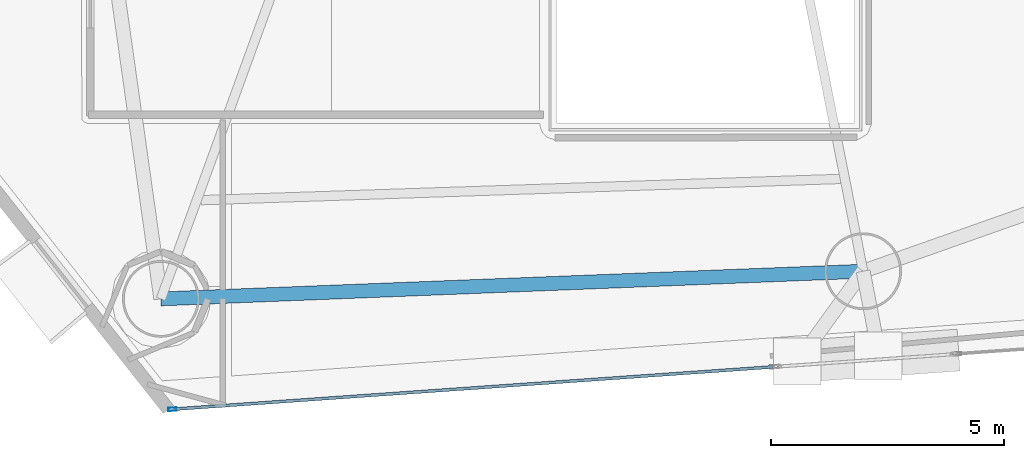
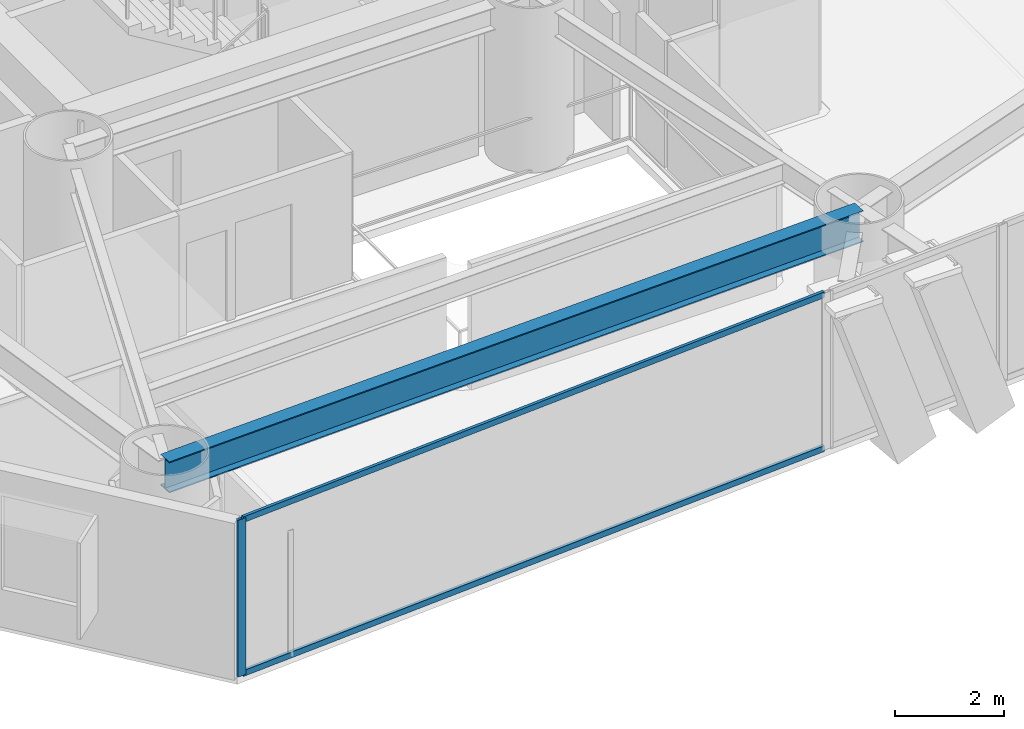
# One storey, part 2 of 24: 3 members, 1 beam, 1 element without a shape of its own.
"""IFC4 building model written with IfcOpenShell, lengths in metres."""

import ifcopenshell
import ifcopenshell.guid

model = None  # the IFC model being written
_history = None  # IfcOwnerHistory: only IFC2X3 demands one
_inside = {}  # id of a spatial element -> (the spatial element, [elements in it])
_under = {}  # id of a project, library or spatial element -> (it, [spatial elements below it])
_declared = {}  # id of a project -> (the project, [libraries it declares])
_typed = {}  # id of a type object -> (the type object, [elements of that type])
_made_of = {}  # id of a material, layer set ... -> (it, [elements and type objects made of it])


def new_model(schema):
    """Start an empty IFC model of exactly this schema.

    Asked for "IFC4X3", IfcOpenShell would pick the latest addendum, in which some entities
    have other attributes; the version numbers below select the first issue.
    IFC2X3 requires an IfcOwnerHistory on every rooted entity: one is made here for all.
    """
    global model, _history
    if schema == "IFC4X3":
        model = ifcopenshell.file(schema_version=(4, 3, 0, 0))
    else:
        model = ifcopenshell.file(schema=schema)
    _inside.clear()
    _under.clear()
    _declared.clear()
    _typed.clear()
    _made_of.clear()
    _history = None
    if model.schema == "IFC2X3":
        org = make("IfcOrganization", Name="unknown")
        user = make(
            "IfcPersonAndOrganization",
            ThePerson=make("IfcPerson", FamilyName="unknown"),
            TheOrganization=org,
        )
        app = make(
            "IfcApplication",
            ApplicationDeveloper=org,
            Version="unknown",
            ApplicationFullName="unknown",
            ApplicationIdentifier="unknown",
        )
        _history = make(
            "IfcOwnerHistory",
            OwningUser=user,
            OwningApplication=app,
            ChangeAction="ADDED",
            CreationDate=0,
        )
    return model


def make(cls, **values):
    """One entity of the class cls with the attributes given. An attribute that is None is left unset."""
    return model.create_entity(
        cls, **{name: value for name, value in values.items() if value is not None}
    )


def rooted(cls, **values):
    """An entity with a GlobalId (a new one), such as an element, a storey or a relation."""
    return make(cls, GlobalId=ifcopenshell.guid.new(), OwnerHistory=_history, **values)


def si_unit(unit_type, name, prefix=None):
    """IfcSIUnit, for example si_unit("LENGTHUNIT", "METRE", prefix="MILLI")."""
    return make("IfcSIUnit", UnitType=unit_type, Prefix=prefix, Name=name)


def assignment(units):
    """IfcUnitAssignment: the units of a project."""
    return None if units is None else make("IfcUnitAssignment", Units=units)


def point(xyz):
    """IfcCartesianPoint."""
    return None if xyz is None else make("IfcCartesianPoint", Coordinates=xyz)


def direction(xyz):
    """IfcDirection."""
    return None if xyz is None else make("IfcDirection", DirectionRatios=xyz)


def frame(location, z_axis=None, x_axis=None):
    """IfcAxis2Placement3D, a coordinate frame: its origin and axes. An axis left out is left unset."""
    return make(
        "IfcAxis2Placement3D",
        Location=point(location),
        Axis=direction(z_axis),
        RefDirection=direction(x_axis),
    )


def frame_2d(location, x_axis=None):
    """IfcAxis2Placement2D, a coordinate frame in the plane: its origin and x axis."""
    return make(
        "IfcAxis2Placement2D", Location=point(location), RefDirection=direction(x_axis)
    )


def origin():
    """The frame at (0, 0, 0) with its axes left unset."""
    return frame((0.0, 0.0, 0.0))


def origin_2d():
    """The frame at (0, 0) in the plane with its x axis left unset."""
    return frame_2d((0.0, 0.0))


def place(relative_to, where):
    """IfcLocalPlacement: puts the frame where relative to a parent placement (None: the world)."""
    return make(
        "IfcLocalPlacement", PlacementRelTo=relative_to, RelativePlacement=where
    )


def context(
    kind, dimensions, precision=None, world=None, true_north=None, identifier=None
):
    """IfcGeometricRepresentationContext, for example the 3D "Model" context."""
    return make(
        "IfcGeometricRepresentationContext",
        ContextIdentifier=identifier,
        ContextType=kind,
        CoordinateSpaceDimension=dimensions,
        Precision=precision,
        WorldCoordinateSystem=world,
        TrueNorth=true_north,
    )


def subcontext(parent, identifier, kind, view, scale=None):
    """IfcGeometricRepresentationSubContext, for example "Body" below "Model"."""
    return make(
        "IfcGeometricRepresentationSubContext",
        ContextIdentifier=identifier,
        ContextType=kind,
        ParentContext=parent,
        TargetScale=scale,
        TargetView=view,
    )


def project(units=None, contexts=None):
    """IfcProject with its units and contexts."""
    return rooted(
        "IfcProject",
        Name="project",
        RepresentationContexts=contexts,
        UnitsInContext=assignment(units),
    )


def spatial(cls, under=None, at=None, **own):
    """A site, building, storey or space (cls), placed at a placement, below another one or the project."""
    s = rooted(cls, ObjectPlacement=at, **own)
    if under is not None:
        _under.setdefault(under.id(), (under, []))[1].append(s)
    return s


def profile(cls, at=None, kind="AREA", **sizes):
    """A parametric profile (cls). Its sizes go by their IFC names, for example OverallWidth=200.0."""
    return make(cls, ProfileType=kind, Position=at, **sizes)


def hollow_rectangle(**sizes):
    """IfcRectangleHollowProfileDef."""
    return profile("IfcRectangleHollowProfileDef", **sizes)


def i_section(**sizes):
    """IfcIShapeProfileDef."""
    return profile("IfcIShapeProfileDef", **sizes)


def extrude(swept, where, along, depth):
    """IfcExtrudedAreaSolid: the profile swept, set in the frame where, extruded along a direction by depth."""
    return make(
        "IfcExtrudedAreaSolid",
        SweptArea=swept,
        Position=where,
        ExtrudedDirection=direction(along),
        Depth=depth,
    )


def shape(context_of_items, identifier, shape_type, items):
    """IfcShapeRepresentation: the items that make up one representation, for example the "Body"."""
    return make(
        "IfcShapeRepresentation",
        ContextOfItems=context_of_items,
        RepresentationIdentifier=identifier,
        RepresentationType=shape_type,
        Items=items,
    )


def material(Name=None, Category=None):
    """IfcMaterial."""
    return make("IfcMaterial", Name=Name, Category=Category)


def layer(
    of_material, thickness, ventilated=None, Name=None, Category=None, Priority=None
):
    """IfcMaterialLayer: one layer of a wall or slab, of a material (None: an air gap)."""
    return make(
        "IfcMaterialLayer",
        Material=of_material,
        LayerThickness=thickness,
        IsVentilated=ventilated,
        Name=Name,
        Category=Category,
        Priority=Priority,
    )


def layer_set(layers, Name=None):
    """IfcMaterialLayerSet."""
    return make("IfcMaterialLayerSet", MaterialLayers=layers, LayerSetName=Name)


def material_profile(
    of_material, cross_section, Name=None, Category=None, Priority=None
):
    """IfcMaterialProfile: a cross section and its material."""
    return make(
        "IfcMaterialProfile",
        Name=Name,
        Material=of_material,
        Profile=cross_section,
        Priority=Priority,
        Category=Category,
    )


def profile_set(profiles, Name=None, composite=None):
    """IfcMaterialProfileSet."""
    return make(
        "IfcMaterialProfileSet",
        Name=Name,
        MaterialProfiles=profiles,
        CompositeProfile=composite,
    )


def made_of(thing, what):
    """Note that an element or type object is made of a material, layer set ...; save() writes the relation."""
    if what is not None:
        _made_of.setdefault(what.id(), (what, []))[1].append(thing)
    return thing


def type_object(cls, material=None, **own):
    """A type object (cls), such as IfcWallType, which elements share."""
    return made_of(rooted(cls, **own), material)


def element(
    cls,
    number,
    at=None,
    inside=None,
    cuts=None,
    type_object=None,
    material=None,
    context=None,
    identifier="Body",
    shape_type=None,
    held_by="IfcProductDefinitionShape",
    body=None,
    shapes=None,
    **own,
):
    """One element of the class cls, such as IfcWall. Its Tag is "e" and its number.

    at: its placement. inside: the storey or other place that contains it. cuts: it is an
    opening in that element (IfcRelVoidsElement). A single representation is given by context,
    identifier, shape_type and body (its items); several are given by shapes. held_by: the class
    of the entity that holds the representations. save() writes the other relations.
    """
    e = rooted(cls, Tag="e%d" % number, ObjectPlacement=at, **own)
    if body is not None:
        shapes = [shape(context, identifier, shape_type, body)]
    if shapes is not None:
        e.Representation = make(held_by, Representations=shapes)
    if inside is not None:
        _inside.setdefault(inside.id(), (inside, []))[1].append(e)
    if cuts is not None:
        rooted(
            "IfcRelVoidsElement", RelatingBuildingElement=cuts, RelatedOpeningElement=e
        )
    if type_object is not None:
        _typed.setdefault(type_object.id(), (type_object, []))[1].append(e)
    return made_of(e, material)


def aggregate(whole, parts):
    """IfcRelAggregates: a whole, such as a stair, and the parts it consists of."""
    return rooted("IfcRelAggregates", RelatingObject=whole, RelatedObjects=parts)


def save(model, path):
    """Write the relations noted so far, then the file.

    IfcRelAggregates (storeys below a building ...), IfcRelContainedInSpatialStructure (elements
    in a storey), IfcRelDefinesByType, IfcRelAssociatesMaterial and IfcRelDeclares: one each for
    every whole, place, type object, material and project.
    """
    for whole, parts in _under.values():
        aggregate(whole, parts)
    for where, things in _inside.values():
        rooted(
            "IfcRelContainedInSpatialStructure",
            RelatedElements=things,
            RelatingStructure=where,
        )
    for kind, things in _typed.values():
        rooted("IfcRelDefinesByType", RelatedObjects=things, RelatingType=kind)
    for what, things in _made_of.values():
        rooted("IfcRelAssociatesMaterial", RelatedObjects=things, RelatingMaterial=what)
    for by, libraries in _declared.values():
        rooted("IfcRelDeclares", RelatingContext=by, RelatedDefinitions=libraries)
    model.write(path)


model = new_model("IFC4")

# Units and contexts
model_context = context("Model", 3, precision=1e-05, world=origin(), true_north=direction((0.0, 1.0)))
body_context = subcontext(model_context, "Body", "Model", "MODEL_VIEW")
ifc_project = project(units=[si_unit("LENGTHUNIT", "METRE"), si_unit("AREAUNIT", "SQUARE_METRE"), si_unit("VOLUMEUNIT", "CUBIC_METRE"), si_unit("PLANEANGLEUNIT", "RADIAN"), si_unit("MASSUNIT", "GRAM", prefix="KILO")], contexts=[model_context])

# Site, building, storey
site_placement = place(None, origin())
site = spatial("IfcSite", under=ifc_project, at=site_placement, CompositionType="ELEMENT")
building_placement = place(site_placement, origin())
building = spatial("IfcBuilding", under=site, at=building_placement, Name="Qianvela Tower", CompositionType="ELEMENT")
storey_placement = place(building_placement, frame((0.0, 0.0, 59.89990234375)))
storey = spatial("IfcBuildingStorey", under=building, at=storey_placement, Name="L14", CompositionType="ELEMENT", Elevation=59.89990234375)

# Beam
ifc_material_1 = material(Name="Steel Q355B", Category="steel")
ifc_material_profile_1 = material_profile(ifc_material_1, i_section(OverallWidth=0.300048828125, OverallDepth=0.699951171875, WebThickness=0.012939453125, FlangeThickness=0.02392578125, at=origin_2d()), Name="HN700x300x13x24")
ifc_profile_set_1 = profile_set([ifc_material_profile_1], Name="Steel Q355B")
beam_type = type_object("IfcBeamType", Name="BM-HN700-SPAND", PredefinedType="SPANDREL", material=ifc_profile_set_1)
beam_placement = place(storey_placement, frame((25.10009765625, 14.22509765625, 3.168212890625), z_axis=(0.999226043345, 0.039335916178, 0.0), x_axis=(-0.039335916178, 0.999226043345, 0.0)))
element("IfcBeam", 1, at=beam_placement, inside=storey, type_object=beam_type, Name="L14 Perimeter Ring Spandrel Girder 5", PredefinedType="SPANDREL", context=body_context, shape_type="SweptSolid", body=[
    extrude(i_section(OverallWidth=0.300048828125, OverallDepth=0.699951171875, WebThickness=0.012939453125, FlangeThickness=0.02392578125, at=origin_2d()), origin(), (0.0, 0.0, 1.0), 15.1005859375),
])

# Curtain wall, members
ifc_material_2 = material(Name="Anodised Architectural Aluminium and Low-E Glass", Category="aluminium")
ifc_layer = layer(ifc_material_2, 0.179931640625)
ifc_layer_set = layer_set([ifc_layer], Name="Anodised Architectural Aluminium and Low-E Glass")
curtain_wall_type = type_object("IfcCurtainWallType", Name="CW-COLIV-Z12", PredefinedType="USERDEFINED", material=ifc_layer_set)
curtain_wall_placement = place(storey_placement, origin())
curtain_wall = element("IfcCurtainWall", 2, at=curtain_wall_placement, inside=storey, type_object=curtain_wall_type, Name="L14 CW-COLIV-Z12 Curtain Wall 06A", ObjectType="CURTAIN_WALL_SYSTEM", PredefinedType="USERDEFINED")
ifc_material_3 = material(Name="Anodised Architectural Aluminium 6063-T6", Category="aluminium")
ifc_material_profile_2 = material_profile(ifc_material_3, hollow_rectangle(XDim=0.070068359375, YDim=0.179931640625, WallThickness=0.0048828125, at=origin_2d()), Name="ALU-MULL-70x180")
ifc_profile_set_2 = profile_set([ifc_material_profile_2], Name="Anodised Architectural Aluminium 6063-T6")
member_type_1 = type_object("IfcMemberType", Name="CW-COLIV-Z12-MULL", PredefinedType="MULLION", material=ifc_profile_set_2)
member_1_placement = place(storey_placement, frame((25.3466796875, 11.853271484375, 0.0), z_axis=(0.0, 0.0, 1.0), x_axis=(-0.070329810087, 0.997523793106, 0.0)))
member_1 = element("IfcMember", 3, at=member_1_placement, type_object=member_type_1, Name="CW-3 mullion 1", PredefinedType="MULLION", context=body_context, shape_type="SweptSolid", body=[
    extrude(hollow_rectangle(XDim=0.070068359375, YDim=0.179931640625, WallThickness=0.0048828125, at=origin_2d()), origin(), (0.0, 0.0, 1.0), 3.52001953125),
])
ifc_material_4 = material(Name="Anodised Architectural Aluminium 6063-T6", Category="aluminium")
ifc_material_profile_3 = material_profile(ifc_material_4, hollow_rectangle(XDim=0.06494140625, YDim=0.1298828125, WallThickness=0.00439453125, at=origin_2d()), Name="ALU-TRAN-65x130")
ifc_profile_set_3 = profile_set([ifc_material_profile_3], Name="Anodised Architectural Aluminium 6063-T6")
member_type_2 = type_object("IfcMemberType", Name="CW-COLIV-Z12-TRAN", PredefinedType="USERDEFINED", material=ifc_profile_set_3)
member_2_placement = place(storey_placement, frame((25.381591796875, 11.855712890625, 0.03271484375), z_axis=(0.997522658533, 0.070345900466, 0.0), x_axis=(-0.070345900466, 0.997522658533, 0.0)))
member_2 = element("IfcMember", 4, at=member_2_placement, type_object=member_type_2, Name="CW-3 transom 1.1", ObjectType="TRANSOM", PredefinedType="USERDEFINED", context=body_context, shape_type="SweptSolid", body=[
    extrude(hollow_rectangle(XDim=0.06494140625, YDim=0.1298828125, WallThickness=0.00439453125, at=origin_2d()), origin(), (0.0, 0.0, 1.0), 12.900146484375),
])
member_3_placement = place(storey_placement, frame((25.381591796875, 11.855712890625, 3.487548828125), z_axis=(0.997522658533, 0.070345900466, 0.0), x_axis=(-0.070345900466, 0.997522658533, 0.0)))
member_3 = element("IfcMember", 5, at=member_3_placement, type_object=member_type_2, Name="CW-3 transom 1.2", ObjectType="TRANSOM", PredefinedType="USERDEFINED", context=body_context, shape_type="SweptSolid", body=[
    extrude(hollow_rectangle(XDim=0.06494140625, YDim=0.1298828125, WallThickness=0.00439453125, at=origin_2d()), origin(), (0.0, 0.0, 1.0), 12.900146484375),
])
aggregate(curtain_wall, [member_1, member_2, member_3])

save(model, "model.ifc")
